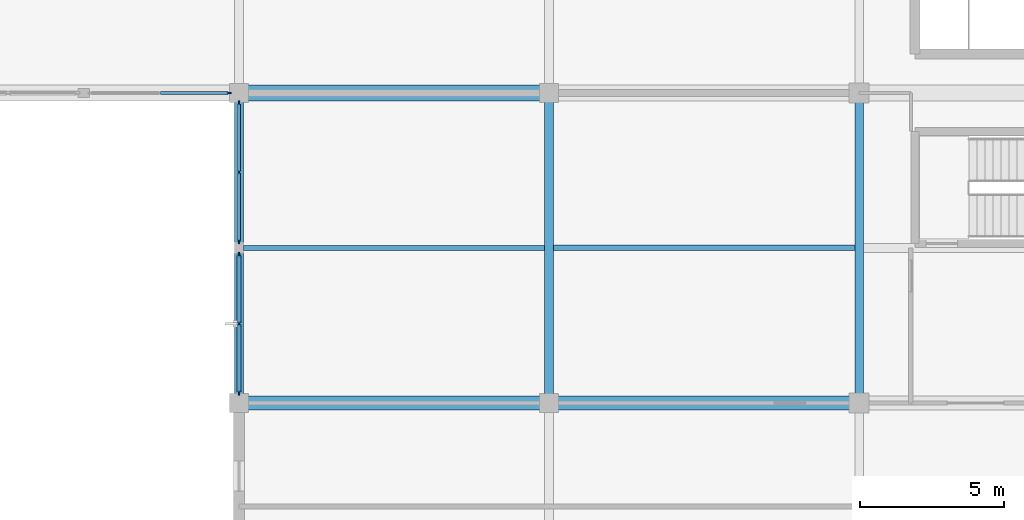
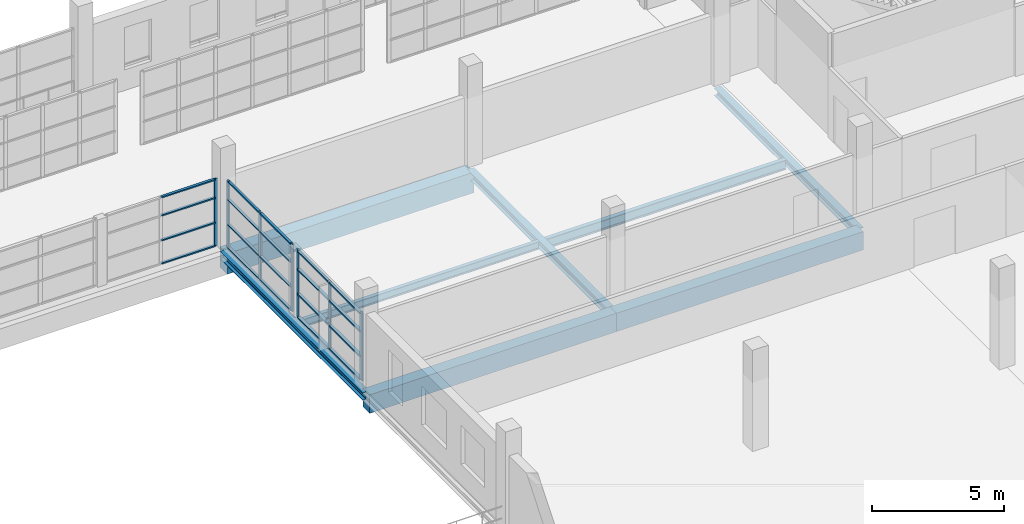
# One storey, part 57 of 142: 27 members, 8 beams, 3 elements without a shape of their own.
"""IFC4 building model written with IfcOpenShell, lengths in metres."""

from ifc_helpers import new_model, si_unit, direction, frame, origin, origin_2d, place, context, subcontext, project, spatial, rectangle, i_section, extrude, material, material_profile, profile_set, type_object, element, aggregate, save


model = new_model("IFC4")

# Units and contexts
model_context = context("Model", 3, precision=1e-05, world=origin(), true_north=direction((0.0, 1.0)))
body_context = subcontext(model_context, "Body", "Model", "MODEL_VIEW")
ifc_project = project(units=[si_unit("LENGTHUNIT", "METRE"), si_unit("AREAUNIT", "SQUARE_METRE"), si_unit("VOLUMEUNIT", "CUBIC_METRE"), si_unit("PLANEANGLEUNIT", "RADIAN"), si_unit("MASSUNIT", "GRAM", prefix="KILO")], contexts=[model_context])

# Site, building, storey
site_placement = place(None, origin())
site = spatial("IfcSite", under=ifc_project, at=site_placement, CompositionType="ELEMENT")
building_placement = place(site_placement, origin())
building = spatial("IfcBuilding", under=site, at=building_placement, Name="Zwinboog Wholesale Market", CompositionType="ELEMENT")
storey_placement = place(building_placement, frame((0.0, 0.0, 5.39990234375)))
storey = spatial("IfcBuildingStorey", under=building, at=storey_placement, Name="L01", CompositionType="ELEMENT", Elevation=5.39990234375)

# Beams
ifc_material_1 = material(Name="Precast concrete C45/55", Category="concrete")
ifc_material_profile_1 = material_profile(ifc_material_1, rectangle(XDim=0.550048828125, YDim=0.949951171875, at=origin_2d()), Name="PC 550x950")
ifc_profile_set_1 = profile_set([ifc_material_profile_1], Name="Precast concrete C45/55")
beam_type_1 = type_object("IfcBeamType", Name="BT-02", PredefinedType="BEAM", material=ifc_profile_set_1)
beam_1_placement = place(storey_placement, frame((129.60009765625, 43.199951171875, -0.806884765625), z_axis=(1.0, 0.0, 0.0), x_axis=(0.0, 1.0, 0.0)))
element("IfcBeam", 1, at=beam_1_placement, inside=storey, type_object=beam_type_1, Name="BG-02 (BMG-L01-1296-0432-0471)", PredefinedType="BEAM", context=body_context, shape_type="SweptSolid", body=[
    extrude(rectangle(XDim=0.550048828125, YDim=0.949951171875, at=origin_2d()), origin(), (0.0, 0.0, 1.0), 10.7998046875),
])
ifc_material_profile_2 = material_profile(ifc_material_1, rectangle(XDim=0.5, YDim=0.85009765625, at=origin_2d()), Name="PC 500x850")
ifc_profile_set_2 = profile_set([ifc_material_profile_2], Name="Precast concrete C45/55")
beam_type_2 = type_object("IfcBeamType", Name="BT-03", PredefinedType="BEAM", material=ifc_profile_set_2)
beam_2_placement = place(storey_placement, frame((129.60009765625, 32.39990234375, -0.7568359375), z_axis=(1.0, 0.0, 0.0), x_axis=(0.0, 1.0, 0.0)))
element("IfcBeam", 2, at=beam_2_placement, inside=storey, type_object=beam_type_2, Name="BG-03 (BMG-L01-1296-0324-0453)", PredefinedType="BEAM", context=body_context, shape_type="SweptSolid", body=[
    extrude(rectangle(XDim=0.5, YDim=0.85009765625, at=origin_2d()), origin(), (0.0, 0.0, 1.0), 10.7998046875),
])
beam_3_placement = place(storey_placement, frame((140.39990234375, 32.39990234375, -0.7568359375), z_axis=(1.0, 0.0, 0.0), x_axis=(0.0, 1.0, 0.0)))
element("IfcBeam", 3, at=beam_3_placement, inside=storey, type_object=beam_type_2, Name="BG-03 (BMG-L01-1404-0324-0454)", PredefinedType="BEAM", context=body_context, shape_type="SweptSolid", body=[
    extrude(rectangle(XDim=0.5, YDim=0.85009765625, at=origin_2d()), origin(), (0.0, 0.0, 1.0), 10.800048828125),
])
ifc_material_2 = material(Name="Steel S355", Category="steel")
ifc_material_profile_3 = material_profile(ifc_material_2, i_section(OverallWidth=0.300048828125, OverallDepth=0.35009765625, WebThickness=0.010009765625, FlangeThickness=0.017578125, FilletRadius=0.027099609375, at=origin_2d()), Name="HEA 360")
ifc_profile_set_3 = profile_set([ifc_material_profile_3], Name="Steel S355")
beam_type_3 = type_object("IfcBeamType", Name="BT-17", PredefinedType="BEAM", material=ifc_profile_set_3)
for number, where, z_axis, x_axis, name in (
    (4, (129.60009765625, 32.39990234375, -0.5068359375), (0.0, 1.0, 0.0), (-1.0, 0.0, 0.0), "SB-04 (BMG-L01-1296-0324-0706)"),
    (5, (140.39990234375, 32.39990234375, -0.5068359375), (0.0, 1.0, 0.0), (-1.0, 0.0, 0.0), "SB-04 (BMG-L01-1404-0324-0715)"),
    (6, (151.199951171875, 32.39990234375, -0.5068359375), (0.0, 1.0, 0.0), (-1.0, 0.0, 0.0), "SB-04 (BMG-L01-1512-0324-0724)"),
):
    element("IfcBeam", number, at=place(storey_placement, frame(where, z_axis=z_axis, x_axis=x_axis)), inside=storey, type_object=beam_type_3, Name=name, PredefinedType="BEAM", context=body_context, shape_type="SweptSolid", body=[
        extrude(i_section(OverallWidth=0.300048828125, OverallDepth=0.35009765625, WebThickness=0.010009765625, FlangeThickness=0.017578125, FilletRadius=0.027099609375, at=origin_2d()), origin(), (0.0, 0.0, 1.0), 10.800048828125),
    ])
ifc_material_profile_4 = material_profile(ifc_material_2, i_section(OverallWidth=0.18994140625, OverallDepth=0.449951171875, WebThickness=0.009521484375, FlangeThickness=0.0146484375, FilletRadius=0.02099609375, at=origin_2d()), Name="IPE 450")
ifc_profile_set_4 = profile_set([ifc_material_profile_4], Name="Steel S355")
beam_type_4 = type_object("IfcBeamType", Name="BT-19", PredefinedType="JOIST", material=ifc_profile_set_4)
beam_4_placement = place(storey_placement, frame((140.550048828125, 37.800048828125, -0.556884765625), z_axis=(1.0, 0.0, 0.0), x_axis=(0.0, 1.0, 0.0)))
element("IfcBeam", 7, at=beam_4_placement, inside=storey, type_object=beam_type_4, Name="SJ-02 (BMG-L01-1406-0378-0910)", PredefinedType="JOIST", context=body_context, shape_type="SweptSolid", body=[
    extrude(i_section(OverallWidth=0.18994140625, OverallDepth=0.449951171875, WebThickness=0.009521484375, FlangeThickness=0.0146484375, FilletRadius=0.02099609375, at=origin_2d()), origin(), (0.0, 0.0, 1.0), 10.5),
])
ifc_material_profile_5 = material_profile(ifc_material_2, i_section(OverallWidth=0.169921875, OverallDepth=0.360107421875, WebThickness=0.008056640625, FlangeThickness=0.0126953125, FilletRadius=0.01806640625, at=origin_2d()), Name="IPE 360")
ifc_profile_set_5 = profile_set([ifc_material_profile_5], Name="Steel S355")
beam_type_5 = type_object("IfcBeamType", Name="BT-20", PredefinedType="JOIST", material=ifc_profile_set_5)
beam_5_placement = place(storey_placement, frame((129.75, 37.800048828125, -0.511962890625), z_axis=(1.0, 0.0, 0.0), x_axis=(0.0, 1.0, 0.0)))
element("IfcBeam", 8, at=beam_5_placement, inside=storey, type_object=beam_type_5, Name="SJ-03 (BMG-L01-1298-0378-0906)", PredefinedType="JOIST", context=body_context, shape_type="SweptSolid", body=[
    extrude(i_section(OverallWidth=0.169921875, OverallDepth=0.360107421875, WebThickness=0.008056640625, FlangeThickness=0.0126953125, FilletRadius=0.01806640625, at=origin_2d()), origin(), (0.0, 0.0, 1.0), 10.5),
])

# Curtain wall, members
ifc_material_3 = material(Name="Aluminium thermally broken curtain wall", Category="aluminium")
curtain_wall_type_1 = type_object("IfcCurtainWallType", Name="CWT-HALL-24", PredefinedType="USERDEFINED", material=ifc_material_3)
curtain_wall_1_placement = place(storey_placement, origin())
curtain_wall_1 = element("IfcCurtainWall", 9, at=curtain_wall_1_placement, inside=storey, type_object=curtain_wall_type_1, Name="CW-03 (CW-L01-117)", ObjectType="UNITIZED_CURTAIN_WALL", PredefinedType="USERDEFINED")
ifc_material_4 = material(Name="Aluminium EN AW-6060", Category="aluminium")
ifc_material_profile_6 = material_profile(ifc_material_4, rectangle(XDim=0.06494140625, YDim=0.179931640625, at=origin_2d()), Name="AL 65x180")
ifc_profile_set_6 = profile_set([ifc_material_profile_6], Name="Aluminium EN AW-6060")
member_type_1 = type_object("IfcMemberType", Name="CWM-65x180", PredefinedType="MULLION", material=ifc_profile_set_6)
member_1_placement = place(storey_placement, frame((129.60009765625, 32.75244140625, 0.0), z_axis=(0.0, 0.0, 1.0), x_axis=(-1.0, 0.0, 0.0)))
member_1 = element("IfcMember", 10, at=member_1_placement, type_object=member_type_1, Name="CW-03 mullion 1", PredefinedType="MULLION", context=body_context, shape_type="SweptSolid", body=[
    extrude(rectangle(XDim=0.06494140625, YDim=0.179931640625, at=origin_2d()), origin(), (0.0, 0.0, 1.0), 3.1201171875),
])
member_2_placement = place(storey_placement, frame((129.60009765625, 35.159912109375, 0.0), z_axis=(0.0, 0.0, 1.0), x_axis=(-1.0, 0.0, 0.0)))
member_2 = element("IfcMember", 11, at=member_2_placement, type_object=member_type_1, Name="CW-03 mullion 2", PredefinedType="MULLION", context=body_context, shape_type="SweptSolid", body=[
    extrude(rectangle(XDim=0.06494140625, YDim=0.179931640625, at=origin_2d()), origin(), (0.0, 0.0, 1.0), 3.1201171875),
])
member_3_placement = place(storey_placement, frame((129.60009765625, 37.5673828125, 0.0), z_axis=(0.0, 0.0, 1.0), x_axis=(-1.0, 0.0, 0.0)))
member_3 = element("IfcMember", 12, at=member_3_placement, type_object=member_type_1, Name="CW-03 mullion 3", PredefinedType="MULLION", context=body_context, shape_type="SweptSolid", body=[
    extrude(rectangle(XDim=0.06494140625, YDim=0.179931640625, at=origin_2d()), origin(), (0.0, 0.0, 1.0), 3.1201171875),
])

# Curtain wall, member
curtain_wall_type_2 = type_object("IfcCurtainWallType", Name="CWT-STALL-20", PredefinedType="USERDEFINED", material=ifc_material_3)
curtain_wall_2_placement = place(storey_placement, origin())
curtain_wall_2 = element("IfcCurtainWall", 13, at=curtain_wall_2_placement, inside=storey, type_object=curtain_wall_type_2, Name="CW-02 (CW-L01-110)", ObjectType="STOREFRONT_GLAZING", PredefinedType="USERDEFINED")
ifc_material_profile_7 = material_profile(ifc_material_4, rectangle(XDim=0.06005859375, YDim=0.14990234375, at=origin_2d()), Name="AL 60x150")
ifc_profile_set_7 = profile_set([ifc_material_profile_7], Name="Aluminium EN AW-6060")
member_type_2 = type_object("IfcMemberType", Name="CWM-60x150", PredefinedType="MULLION", material=ifc_profile_set_7)
member_4_placement = place(storey_placement, frame((129.25, 43.199951171875, 0.0), z_axis=(0.0, 0.0, 1.0), x_axis=(0.0, 1.0, 0.0)))
member_4 = element("IfcMember", 14, at=member_4_placement, type_object=member_type_2, Name="CW-02 mullion 3", PredefinedType="MULLION", context=body_context, shape_type="SweptSolid", body=[
    extrude(rectangle(XDim=0.06005859375, YDim=0.14990234375, at=origin_2d()), origin(), (0.0, 0.0, 1.0), 3.1201171875),
])

# Curtain wall, members
curtain_wall_type_3 = type_object("IfcCurtainWallType", Name="CWT-GAL-16", PredefinedType="USERDEFINED", material=ifc_material_3)
curtain_wall_3_placement = place(storey_placement, origin())
curtain_wall_3 = element("IfcCurtainWall", 15, at=curtain_wall_3_placement, inside=storey, type_object=curtain_wall_type_3, Name="CW-04 (CW-L01-118)", ObjectType="UNITIZED_CURTAIN_WALL", PredefinedType="USERDEFINED")
member_5_placement = place(storey_placement, frame((129.60009765625, 38.030029296875, 0.0), z_axis=(0.0, 0.0, 1.0), x_axis=(-1.0, 0.0, 0.0)))
member_5 = element("IfcMember", 16, at=member_5_placement, type_object=member_type_2, Name="CW-04 mullion 1", PredefinedType="MULLION", context=body_context, shape_type="SweptSolid", body=[
    extrude(rectangle(XDim=0.06005859375, YDim=0.14990234375, at=origin_2d()), origin(), (0.0, 0.0, 1.0), 3.1201171875),
])
member_6_placement = place(storey_placement, frame((129.60009765625, 40.43994140625, 0.0), z_axis=(0.0, 0.0, 1.0), x_axis=(-1.0, 0.0, 0.0)))
member_6 = element("IfcMember", 17, at=member_6_placement, type_object=member_type_2, Name="CW-04 mullion 2", PredefinedType="MULLION", context=body_context, shape_type="SweptSolid", body=[
    extrude(rectangle(XDim=0.06005859375, YDim=0.14990234375, at=origin_2d()), origin(), (0.0, 0.0, 1.0), 3.1201171875),
])
member_7_placement = place(storey_placement, frame((129.60009765625, 42.85009765625, 0.0), z_axis=(0.0, 0.0, 1.0), x_axis=(-1.0, 0.0, 0.0)))
member_7 = element("IfcMember", 18, at=member_7_placement, type_object=member_type_2, Name="CW-04 mullion 3", PredefinedType="MULLION", context=body_context, shape_type="SweptSolid", body=[
    extrude(rectangle(XDim=0.06005859375, YDim=0.14990234375, at=origin_2d()), origin(), (0.0, 0.0, 1.0), 3.1201171875),
])

# Member
ifc_material_profile_8 = material_profile(ifc_material_4, rectangle(XDim=0.139892578125, YDim=0.06494140625, at=origin_2d()), Name="AL 65x140")
ifc_profile_set_8 = profile_set([ifc_material_profile_8], Name="Aluminium EN AW-6060")
member_type_3 = type_object("IfcMemberType", Name="CWT-65x140", PredefinedType="USERDEFINED", material=ifc_profile_set_8)
member_8_placement = place(storey_placement, frame((129.60009765625, 32.784912109375, 0.03271484375), z_axis=(0.0, 1.0, 0.0), x_axis=(-1.0, 0.0, 0.0)))
member_8 = element("IfcMember", 19, at=member_8_placement, type_object=member_type_3, Name="CW-03 transom 1.1", ObjectType="TRANSOM", PredefinedType="USERDEFINED", context=body_context, shape_type="SweptSolid", body=[
    extrude(rectangle(XDim=0.139892578125, YDim=0.06494140625, at=origin_2d()), origin(), (0.0, 0.0, 1.0), 2.342529296875),
])

member_9_placement = place(storey_placement, frame((129.60009765625, 32.784912109375, 1.10009765625), z_axis=(0.0, 1.0, 0.0), x_axis=(-1.0, 0.0, 0.0)))
member_9 = element("IfcMember", 20, at=member_9_placement, type_object=member_type_3, Name="CW-03 transom 1.2", ObjectType="TRANSOM", PredefinedType="USERDEFINED", context=body_context, shape_type="SweptSolid", body=[
    extrude(rectangle(XDim=0.139892578125, YDim=0.06494140625, at=origin_2d()), origin(), (0.0, 0.0, 1.0), 2.342529296875),
])

member_10_placement = place(storey_placement, frame((129.60009765625, 32.784912109375, 2.25), z_axis=(0.0, 1.0, 0.0), x_axis=(-1.0, 0.0, 0.0)))
member_10 = element("IfcMember", 21, at=member_10_placement, type_object=member_type_3, Name="CW-03 transom 1.3", ObjectType="TRANSOM", PredefinedType="USERDEFINED", context=body_context, shape_type="SweptSolid", body=[
    extrude(rectangle(XDim=0.139892578125, YDim=0.06494140625, at=origin_2d()), origin(), (0.0, 0.0, 1.0), 2.342529296875),
])

member_11_placement = place(storey_placement, frame((129.60009765625, 32.784912109375, 3.087646484375), z_axis=(0.0, 1.0, 0.0), x_axis=(-1.0, 0.0, 0.0)))
member_11 = element("IfcMember", 22, at=member_11_placement, type_object=member_type_3, Name="CW-03 transom 1.4", ObjectType="TRANSOM", PredefinedType="USERDEFINED", context=body_context, shape_type="SweptSolid", body=[
    extrude(rectangle(XDim=0.139892578125, YDim=0.06494140625, at=origin_2d()), origin(), (0.0, 0.0, 1.0), 2.342529296875),
])

member_12_placement = place(storey_placement, frame((129.60009765625, 35.1923828125, 0.03271484375), z_axis=(0.0, 1.0, 0.0), x_axis=(-1.0, 0.0, 0.0)))
member_12 = element("IfcMember", 23, at=member_12_placement, type_object=member_type_3, Name="CW-03 transom 2.1", ObjectType="TRANSOM", PredefinedType="USERDEFINED", context=body_context, shape_type="SweptSolid", body=[
    extrude(rectangle(XDim=0.139892578125, YDim=0.06494140625, at=origin_2d()), origin(), (0.0, 0.0, 1.0), 2.342529296875),
])

member_13_placement = place(storey_placement, frame((129.60009765625, 35.1923828125, 1.10009765625), z_axis=(0.0, 1.0, 0.0), x_axis=(-1.0, 0.0, 0.0)))
member_13 = element("IfcMember", 24, at=member_13_placement, type_object=member_type_3, Name="CW-03 transom 2.2", ObjectType="TRANSOM", PredefinedType="USERDEFINED", context=body_context, shape_type="SweptSolid", body=[
    extrude(rectangle(XDim=0.139892578125, YDim=0.06494140625, at=origin_2d()), origin(), (0.0, 0.0, 1.0), 2.342529296875),
])

member_14_placement = place(storey_placement, frame((129.60009765625, 35.1923828125, 2.25), z_axis=(0.0, 1.0, 0.0), x_axis=(-1.0, 0.0, 0.0)))
member_14 = element("IfcMember", 25, at=member_14_placement, type_object=member_type_3, Name="CW-03 transom 2.3", ObjectType="TRANSOM", PredefinedType="USERDEFINED", context=body_context, shape_type="SweptSolid", body=[
    extrude(rectangle(XDim=0.139892578125, YDim=0.06494140625, at=origin_2d()), origin(), (0.0, 0.0, 1.0), 2.342529296875),
])

member_15_placement = place(storey_placement, frame((129.60009765625, 35.1923828125, 3.087646484375), z_axis=(0.0, 1.0, 0.0), x_axis=(-1.0, 0.0, 0.0)))
member_15 = element("IfcMember", 26, at=member_15_placement, type_object=member_type_3, Name="CW-03 transom 2.4", ObjectType="TRANSOM", PredefinedType="USERDEFINED", context=body_context, shape_type="SweptSolid", body=[
    extrude(rectangle(XDim=0.139892578125, YDim=0.06494140625, at=origin_2d()), origin(), (0.0, 0.0, 1.0), 2.342529296875),
])

aggregate(curtain_wall_1, [member_1, member_2, member_3, member_8, member_9, member_10, member_11, member_12, member_13, member_14, member_15])

ifc_material_profile_9 = material_profile(ifc_material_4, rectangle(XDim=0.110107421875, YDim=0.06005859375, at=origin_2d()), Name="AL 60x110")
ifc_profile_set_9 = profile_set([ifc_material_profile_9], Name="Aluminium EN AW-6060")
member_type_4 = type_object("IfcMemberType", Name="CWT-60x110", PredefinedType="USERDEFINED", material=ifc_profile_set_9)
member_16_placement = place(storey_placement, frame((126.8701171875, 43.199951171875, 0.030029296875), z_axis=(1.0, 0.0, 0.0), x_axis=(0.0, 1.0, 0.0)))
member_16 = element("IfcMember", 27, at=member_16_placement, type_object=member_type_4, Name="CW-02 transom 2.1", ObjectType="TRANSOM", PredefinedType="USERDEFINED", context=body_context, shape_type="SweptSolid", body=[
    extrude(rectangle(XDim=0.110107421875, YDim=0.06005859375, at=origin_2d()), origin(), (0.0, 0.0, 1.0), 2.349853515625),
])

member_17_placement = place(storey_placement, frame((126.8701171875, 43.199951171875, 1.10009765625), z_axis=(1.0, 0.0, 0.0), x_axis=(0.0, 1.0, 0.0)))
member_17 = element("IfcMember", 28, at=member_17_placement, type_object=member_type_4, Name="CW-02 transom 2.2", ObjectType="TRANSOM", PredefinedType="USERDEFINED", context=body_context, shape_type="SweptSolid", body=[
    extrude(rectangle(XDim=0.110107421875, YDim=0.06005859375, at=origin_2d()), origin(), (0.0, 0.0, 1.0), 2.349853515625),
])

member_18_placement = place(storey_placement, frame((126.8701171875, 43.199951171875, 2.25), z_axis=(1.0, 0.0, 0.0), x_axis=(0.0, 1.0, 0.0)))
member_18 = element("IfcMember", 29, at=member_18_placement, type_object=member_type_4, Name="CW-02 transom 2.3", ObjectType="TRANSOM", PredefinedType="USERDEFINED", context=body_context, shape_type="SweptSolid", body=[
    extrude(rectangle(XDim=0.110107421875, YDim=0.06005859375, at=origin_2d()), origin(), (0.0, 0.0, 1.0), 2.349853515625),
])

member_19_placement = place(storey_placement, frame((126.8701171875, 43.199951171875, 3.090087890625), z_axis=(1.0, 0.0, 0.0), x_axis=(0.0, 1.0, 0.0)))
member_19 = element("IfcMember", 30, at=member_19_placement, type_object=member_type_4, Name="CW-02 transom 2.4", ObjectType="TRANSOM", PredefinedType="USERDEFINED", context=body_context, shape_type="SweptSolid", body=[
    extrude(rectangle(XDim=0.110107421875, YDim=0.06005859375, at=origin_2d()), origin(), (0.0, 0.0, 1.0), 2.349853515625),
])

aggregate(curtain_wall_2, [member_4, member_16, member_17, member_18, member_19])

member_20_placement = place(storey_placement, frame((129.60009765625, 38.06005859375, 0.030029296875), z_axis=(0.0, 1.0, 0.0), x_axis=(-1.0, 0.0, 0.0)))
member_20 = element("IfcMember", 31, at=member_20_placement, type_object=member_type_4, Name="CW-04 transom 1.1", ObjectType="TRANSOM", PredefinedType="USERDEFINED", context=body_context, shape_type="SweptSolid", body=[
    extrude(rectangle(XDim=0.110107421875, YDim=0.06005859375, at=origin_2d()), origin(), (0.0, 0.0, 1.0), 2.349853515625),
])

member_21_placement = place(storey_placement, frame((129.60009765625, 38.06005859375, 1.10009765625), z_axis=(0.0, 1.0, 0.0), x_axis=(-1.0, 0.0, 0.0)))
member_21 = element("IfcMember", 32, at=member_21_placement, type_object=member_type_4, Name="CW-04 transom 1.2", ObjectType="TRANSOM", PredefinedType="USERDEFINED", context=body_context, shape_type="SweptSolid", body=[
    extrude(rectangle(XDim=0.110107421875, YDim=0.06005859375, at=origin_2d()), origin(), (0.0, 0.0, 1.0), 2.349853515625),
])

member_22_placement = place(storey_placement, frame((129.60009765625, 38.06005859375, 2.25), z_axis=(0.0, 1.0, 0.0), x_axis=(-1.0, 0.0, 0.0)))
member_22 = element("IfcMember", 33, at=member_22_placement, type_object=member_type_4, Name="CW-04 transom 1.3", ObjectType="TRANSOM", PredefinedType="USERDEFINED", context=body_context, shape_type="SweptSolid", body=[
    extrude(rectangle(XDim=0.110107421875, YDim=0.06005859375, at=origin_2d()), origin(), (0.0, 0.0, 1.0), 2.349853515625),
])

member_23_placement = place(storey_placement, frame((129.60009765625, 38.06005859375, 3.090087890625), z_axis=(0.0, 1.0, 0.0), x_axis=(-1.0, 0.0, 0.0)))
member_23 = element("IfcMember", 34, at=member_23_placement, type_object=member_type_4, Name="CW-04 transom 1.4", ObjectType="TRANSOM", PredefinedType="USERDEFINED", context=body_context, shape_type="SweptSolid", body=[
    extrude(rectangle(XDim=0.110107421875, YDim=0.06005859375, at=origin_2d()), origin(), (0.0, 0.0, 1.0), 2.349853515625),
])

member_24_placement = place(storey_placement, frame((129.60009765625, 40.469970703125, 0.030029296875), z_axis=(0.0, 1.0, 0.0), x_axis=(-1.0, 0.0, 0.0)))
member_24 = element("IfcMember", 35, at=member_24_placement, type_object=member_type_4, Name="CW-04 transom 2.1", ObjectType="TRANSOM", PredefinedType="USERDEFINED", context=body_context, shape_type="SweptSolid", body=[
    extrude(rectangle(XDim=0.110107421875, YDim=0.06005859375, at=origin_2d()), origin(), (0.0, 0.0, 1.0), 2.35009765625),
])

member_25_placement = place(storey_placement, frame((129.60009765625, 40.469970703125, 1.10009765625), z_axis=(0.0, 1.0, 0.0), x_axis=(-1.0, 0.0, 0.0)))
member_25 = element("IfcMember", 36, at=member_25_placement, type_object=member_type_4, Name="CW-04 transom 2.2", ObjectType="TRANSOM", PredefinedType="USERDEFINED", context=body_context, shape_type="SweptSolid", body=[
    extrude(rectangle(XDim=0.110107421875, YDim=0.06005859375, at=origin_2d()), origin(), (0.0, 0.0, 1.0), 2.35009765625),
])

member_26_placement = place(storey_placement, frame((129.60009765625, 40.469970703125, 2.25), z_axis=(0.0, 1.0, 0.0), x_axis=(-1.0, 0.0, 0.0)))
member_26 = element("IfcMember", 37, at=member_26_placement, type_object=member_type_4, Name="CW-04 transom 2.3", ObjectType="TRANSOM", PredefinedType="USERDEFINED", context=body_context, shape_type="SweptSolid", body=[
    extrude(rectangle(XDim=0.110107421875, YDim=0.06005859375, at=origin_2d()), origin(), (0.0, 0.0, 1.0), 2.35009765625),
])

member_27_placement = place(storey_placement, frame((129.60009765625, 40.469970703125, 3.090087890625), z_axis=(0.0, 1.0, 0.0), x_axis=(-1.0, 0.0, 0.0)))
member_27 = element("IfcMember", 38, at=member_27_placement, type_object=member_type_4, Name="CW-04 transom 2.4", ObjectType="TRANSOM", PredefinedType="USERDEFINED", context=body_context, shape_type="SweptSolid", body=[
    extrude(rectangle(XDim=0.110107421875, YDim=0.06005859375, at=origin_2d()), origin(), (0.0, 0.0, 1.0), 2.35009765625),
])

aggregate(curtain_wall_3, [member_5, member_6, member_7, member_20, member_21, member_22, member_23, member_24, member_25, member_26, member_27])

save(model, "model.ifc")
